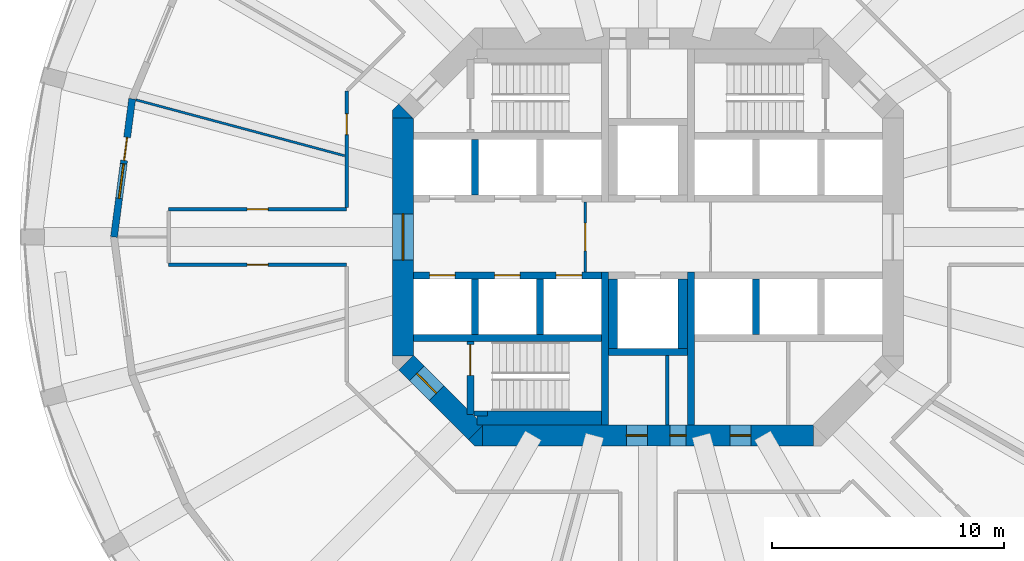
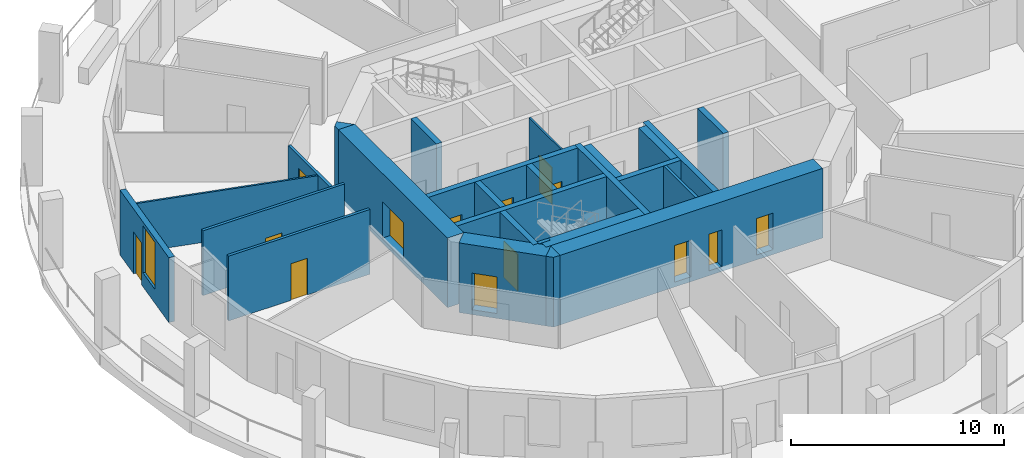
# One storey, part 3 of 9: 26 walls, 14 doors, 1 window, 15 openings.
"""IFC4 building model written with IfcOpenShell, lengths in metres."""

import ifcopenshell
import ifcopenshell.guid

model = None  # the IFC model being written
_history = None  # IfcOwnerHistory: only IFC2X3 demands one
_inside = {}  # id of a spatial element -> (the spatial element, [elements in it])
_under = {}  # id of a project, library or spatial element -> (it, [spatial elements below it])
_declared = {}  # id of a project -> (the project, [libraries it declares])
_typed = {}  # id of a type object -> (the type object, [elements of that type])
_made_of = {}  # id of a material, layer set ... -> (it, [elements and type objects made of it])


def new_model(schema):
    """Start an empty IFC model of exactly this schema.

    Asked for "IFC4X3", IfcOpenShell would pick the latest addendum, in which some entities
    have other attributes; the version numbers below select the first issue.
    IFC2X3 requires an IfcOwnerHistory on every rooted entity: one is made here for all.
    """
    global model, _history
    if schema == "IFC4X3":
        model = ifcopenshell.file(schema_version=(4, 3, 0, 0))
    else:
        model = ifcopenshell.file(schema=schema)
    _inside.clear()
    _under.clear()
    _declared.clear()
    _typed.clear()
    _made_of.clear()
    _history = None
    if model.schema == "IFC2X3":
        org = make("IfcOrganization", Name="unknown")
        user = make(
            "IfcPersonAndOrganization",
            ThePerson=make("IfcPerson", FamilyName="unknown"),
            TheOrganization=org,
        )
        app = make(
            "IfcApplication",
            ApplicationDeveloper=org,
            Version="unknown",
            ApplicationFullName="unknown",
            ApplicationIdentifier="unknown",
        )
        _history = make(
            "IfcOwnerHistory",
            OwningUser=user,
            OwningApplication=app,
            ChangeAction="ADDED",
            CreationDate=0,
        )
    return model


def make(cls, **values):
    """One entity of the class cls with the attributes given. An attribute that is None is left unset."""
    return model.create_entity(
        cls, **{name: value for name, value in values.items() if value is not None}
    )


def rooted(cls, **values):
    """An entity with a GlobalId (a new one), such as an element, a storey or a relation."""
    return make(cls, GlobalId=ifcopenshell.guid.new(), OwnerHistory=_history, **values)


def si_unit(unit_type, name, prefix=None):
    """IfcSIUnit, for example si_unit("LENGTHUNIT", "METRE", prefix="MILLI")."""
    return make("IfcSIUnit", UnitType=unit_type, Prefix=prefix, Name=name)


def assignment(units):
    """IfcUnitAssignment: the units of a project."""
    return None if units is None else make("IfcUnitAssignment", Units=units)


def point(xyz):
    """IfcCartesianPoint."""
    return None if xyz is None else make("IfcCartesianPoint", Coordinates=xyz)


def direction(xyz):
    """IfcDirection."""
    return None if xyz is None else make("IfcDirection", DirectionRatios=xyz)


def frame(location, z_axis=None, x_axis=None):
    """IfcAxis2Placement3D, a coordinate frame: its origin and axes. An axis left out is left unset."""
    return make(
        "IfcAxis2Placement3D",
        Location=point(location),
        Axis=direction(z_axis),
        RefDirection=direction(x_axis),
    )


def frame_2d(location, x_axis=None):
    """IfcAxis2Placement2D, a coordinate frame in the plane: its origin and x axis."""
    return make(
        "IfcAxis2Placement2D", Location=point(location), RefDirection=direction(x_axis)
    )


def origin():
    """The frame at (0, 0, 0) with its axes left unset."""
    return frame((0.0, 0.0, 0.0))


def place(relative_to, where):
    """IfcLocalPlacement: puts the frame where relative to a parent placement (None: the world)."""
    return make(
        "IfcLocalPlacement", PlacementRelTo=relative_to, RelativePlacement=where
    )


def context(
    kind, dimensions, precision=None, world=None, true_north=None, identifier=None
):
    """IfcGeometricRepresentationContext, for example the 3D "Model" context."""
    return make(
        "IfcGeometricRepresentationContext",
        ContextIdentifier=identifier,
        ContextType=kind,
        CoordinateSpaceDimension=dimensions,
        Precision=precision,
        WorldCoordinateSystem=world,
        TrueNorth=true_north,
    )


def subcontext(parent, identifier, kind, view, scale=None):
    """IfcGeometricRepresentationSubContext, for example "Body" below "Model"."""
    return make(
        "IfcGeometricRepresentationSubContext",
        ContextIdentifier=identifier,
        ContextType=kind,
        ParentContext=parent,
        TargetScale=scale,
        TargetView=view,
    )


def project(units=None, contexts=None):
    """IfcProject with its units and contexts."""
    return rooted(
        "IfcProject",
        Name="project",
        RepresentationContexts=contexts,
        UnitsInContext=assignment(units),
    )


def spatial(cls, under=None, at=None, **own):
    """A site, building, storey or space (cls), placed at a placement, below another one or the project."""
    s = rooted(cls, ObjectPlacement=at, **own)
    if under is not None:
        _under.setdefault(under.id(), (under, []))[1].append(s)
    return s


def polyline(points):
    """IfcPolyline through the points."""
    return make("IfcPolyline", Points=[point(p) for p in points])


def profile(cls, at=None, kind="AREA", **sizes):
    """A parametric profile (cls). Its sizes go by their IFC names, for example OverallWidth=200.0."""
    return make(cls, ProfileType=kind, Position=at, **sizes)


def rectangle(**sizes):
    """IfcRectangleProfileDef."""
    return profile("IfcRectangleProfileDef", **sizes)


def outline(outer, holes=None, kind="AREA"):
    """IfcArbitraryClosedProfileDef: a profile drawn as a closed curve; with holes, ...WithVoids."""
    if holes is None:
        return make("IfcArbitraryClosedProfileDef", ProfileType=kind, OuterCurve=outer)
    return make(
        "IfcArbitraryProfileDefWithVoids",
        ProfileType=kind,
        OuterCurve=outer,
        InnerCurves=holes,
    )


def extrude(swept, where, along, depth):
    """IfcExtrudedAreaSolid: the profile swept, set in the frame where, extruded along a direction by depth."""
    return make(
        "IfcExtrudedAreaSolid",
        SweptArea=swept,
        Position=where,
        ExtrudedDirection=direction(along),
        Depth=depth,
    )


def shape(context_of_items, identifier, shape_type, items):
    """IfcShapeRepresentation: the items that make up one representation, for example the "Body"."""
    return make(
        "IfcShapeRepresentation",
        ContextOfItems=context_of_items,
        RepresentationIdentifier=identifier,
        RepresentationType=shape_type,
        Items=items,
    )


def material(Name=None, Category=None):
    """IfcMaterial."""
    return make("IfcMaterial", Name=Name, Category=Category)


def layer(
    of_material, thickness, ventilated=None, Name=None, Category=None, Priority=None
):
    """IfcMaterialLayer: one layer of a wall or slab, of a material (None: an air gap)."""
    return make(
        "IfcMaterialLayer",
        Material=of_material,
        LayerThickness=thickness,
        IsVentilated=ventilated,
        Name=Name,
        Category=Category,
        Priority=Priority,
    )


def layer_set(layers, Name=None):
    """IfcMaterialLayerSet."""
    return make("IfcMaterialLayerSet", MaterialLayers=layers, LayerSetName=Name)


def made_of(thing, what):
    """Note that an element or type object is made of a material, layer set ...; save() writes the relation."""
    if what is not None:
        _made_of.setdefault(what.id(), (what, []))[1].append(thing)
    return thing


def type_object(cls, material=None, **own):
    """A type object (cls), such as IfcWallType, which elements share."""
    return made_of(rooted(cls, **own), material)


def element(
    cls,
    number,
    at=None,
    inside=None,
    cuts=None,
    type_object=None,
    material=None,
    context=None,
    identifier="Body",
    shape_type=None,
    held_by="IfcProductDefinitionShape",
    body=None,
    shapes=None,
    **own,
):
    """One element of the class cls, such as IfcWall. Its Tag is "e" and its number.

    at: its placement. inside: the storey or other place that contains it. cuts: it is an
    opening in that element (IfcRelVoidsElement). A single representation is given by context,
    identifier, shape_type and body (its items); several are given by shapes. held_by: the class
    of the entity that holds the representations. save() writes the other relations.
    """
    e = rooted(cls, Tag="e%d" % number, ObjectPlacement=at, **own)
    if body is not None:
        shapes = [shape(context, identifier, shape_type, body)]
    if shapes is not None:
        e.Representation = make(held_by, Representations=shapes)
    if inside is not None:
        _inside.setdefault(inside.id(), (inside, []))[1].append(e)
    if cuts is not None:
        rooted(
            "IfcRelVoidsElement", RelatingBuildingElement=cuts, RelatedOpeningElement=e
        )
    if type_object is not None:
        _typed.setdefault(type_object.id(), (type_object, []))[1].append(e)
    return made_of(e, material)


def fill(opening, filler):
    """IfcRelFillsElement: the door or window that sits in an opening."""
    return rooted(
        "IfcRelFillsElement",
        RelatingOpeningElement=opening,
        RelatedBuildingElement=filler,
    )


def aggregate(whole, parts):
    """IfcRelAggregates: a whole, such as a stair, and the parts it consists of."""
    return rooted("IfcRelAggregates", RelatingObject=whole, RelatedObjects=parts)


def save(model, path):
    """Write the relations noted so far, then the file.

    IfcRelAggregates (storeys below a building ...), IfcRelContainedInSpatialStructure (elements
    in a storey), IfcRelDefinesByType, IfcRelAssociatesMaterial and IfcRelDeclares: one each for
    every whole, place, type object, material and project.
    """
    for whole, parts in _under.values():
        aggregate(whole, parts)
    for where, things in _inside.values():
        rooted(
            "IfcRelContainedInSpatialStructure",
            RelatedElements=things,
            RelatingStructure=where,
        )
    for kind, things in _typed.values():
        rooted("IfcRelDefinesByType", RelatedObjects=things, RelatingType=kind)
    for what, things in _made_of.values():
        rooted("IfcRelAssociatesMaterial", RelatedObjects=things, RelatingMaterial=what)
    for by, libraries in _declared.values():
        rooted("IfcRelDeclares", RelatingContext=by, RelatedDefinitions=libraries)
    model.write(path)


model = new_model("IFC4")

# Units and contexts
model_context = context("Model", 3, precision=1e-05, world=origin(), true_north=direction((0.0, 1.0)))
body_context = subcontext(model_context, "Body", "Model", "MODEL_VIEW")
ifc_project = project(units=[si_unit("LENGTHUNIT", "METRE"), si_unit("AREAUNIT", "SQUARE_METRE"), si_unit("VOLUMEUNIT", "CUBIC_METRE"), si_unit("PLANEANGLEUNIT", "RADIAN"), si_unit("MASSUNIT", "GRAM", prefix="KILO")], contexts=[model_context])

# Site, building, storey
site_placement = place(None, origin())
site = spatial("IfcSite", under=ifc_project, at=site_placement, CompositionType="ELEMENT")
building_placement = place(site_placement, origin())
building = spatial("IfcBuilding", under=site, at=building_placement, Name="Torre Triforio", CompositionType="ELEMENT")
storey_placement = place(building_placement, frame((0.0, 0.0, 35.0)))
storey = spatial("IfcBuildingStorey", under=building, at=storey_placement, Name="L06", CompositionType="ELEMENT", Elevation=35.0)

# Walls
ifc_material_1 = material(Name="Concrete C60", Category="concrete")
ifc_layer_1 = layer(ifc_material_1, 0.300048828125)
ifc_layer_set_1 = layer_set([ifc_layer_1], Name="Concrete C60")
wall_type_1 = type_object("IfcWallType", Name="Core wall 300 mm C60 EI 120", PredefinedType="SHEAR", material=ifc_layer_set_1)
for number, where, z_axis, x_axis, name in (
    (1, (-1.85009765625, -8.10009765625, 0.0), (0.0, 0.0, 1.0), (0.0, 1.0, 0.0), "Core wall"),
    (2, (1.85009765625, -8.10009765625, 0.0), (0.0, 0.0, 1.0), (0.0, 1.0, 0.0), "Core wall"),
):
    element("IfcWall", number, at=place(storey_placement, frame(where, z_axis=z_axis, x_axis=x_axis)), inside=storey, type_object=wall_type_1, Name=name, PredefinedType="SHEAR", context=body_context, shape_type="SweptSolid", body=[
        extrude(rectangle(XDim=6.60009765625, YDim=0.300048828125, at=frame_2d((3.300048828125, 0.0))), origin(), (0.0, 0.0, 1.0), 3.719970703125),
    ])

# Wall, openings, doors
ifc_layer_2 = layer(ifc_material_1, 0.89990234375)
ifc_layer_set_2 = layer_set([ifc_layer_2], Name="Concrete C60")
wall_type_2 = type_object("IfcWallType", Name="Core wall 900 mm C60 EI 120", PredefinedType="SHEAR", material=ifc_layer_set_2)
wall_1_placement = place(storey_placement, frame((-7.1298828125, -8.550048828125, -0.280029296875), z_axis=(0.0, 0.0, 1.0), x_axis=(1.0, 0.0, 0.0)))
wall_1 = element("IfcWall", 3, at=wall_1_placement, inside=storey, type_object=wall_type_2, Name="Core wall", PredefinedType="SHEAR", context=body_context, shape_type="SweptSolid", body=[
    extrude(rectangle(XDim=14.259765625, YDim=0.89990234375, at=frame_2d((7.1298828125, 0.0))), origin(), (0.0, 0.0, 1.0), 4.0),
])
opening_1_placement = place(wall_1_placement, frame((8.080078125, 0.0, 0.280029296875)))
opening_1 = element("IfcOpeningElement", 4, at=opening_1_placement, cuts=wall_1, Name="Opening RISER-S", PredefinedType="OPENING", context=body_context, shape_type="SweptSolid", body=[
    extrude(rectangle(XDim=0.699951171875, YDim=2.10009765625, at=frame_2d((0.35009765625, 1.050048828125))), frame((0.0, 0.4599609375, 0.0), z_axis=(0.0, -1.0, 0.0), x_axis=(1.0, 0.0, 0.0)), (0.0, 0.0, 1.0), 0.919921875),
])
opening_2_placement = place(wall_1_placement, frame((6.205078125, 0.0, 0.280029296875)))
opening_2 = element("IfcOpeningElement", 5, at=opening_2_placement, cuts=wall_1, Name="Opening SW-01B", PredefinedType="OPENING", context=body_context, shape_type="SweptSolid", body=[
    extrude(rectangle(XDim=0.89990234375, YDim=2.10009765625, at=frame_2d((0.449951171875, 1.050048828125))), frame((0.0, 0.4599609375, 0.0), z_axis=(0.0, -1.0, 0.0), x_axis=(1.0, 0.0, 0.0)), (0.0, 0.0, 1.0), 0.919921875),
])
opening_3_placement = place(wall_1_placement, frame((10.66748046875, 0.0, 0.280029296875)))
opening_3 = element("IfcOpeningElement", 6, at=opening_3_placement, cuts=wall_1, Name="Opening SE-01A", PredefinedType="OPENING", context=body_context, shape_type="SweptSolid", body=[
    extrude(rectangle(XDim=0.89990234375, YDim=2.10009765625, at=frame_2d((0.449951171875, 1.050048828125))), frame((0.0, 0.4599609375, 0.0), z_axis=(0.0, -1.0, 0.0), x_axis=(1.0, 0.0, 0.0)), (0.0, 0.0, 1.0), 0.919921875),
])
ifc_material_2 = material(Name="Hollow metal fire door leaf")
door_type_1 = type_object("IfcDoorType", Name="Riser door 700 x 2100 EI 60", OperationType="NOTDEFINED", PredefinedType="DOOR", material=ifc_material_2)
door_1_placement = place(opening_1_placement, origin())
door_1 = element("IfcDoor", 7, at=door_1_placement, inside=storey, type_object=door_type_1, Name="Core door RISER-S", OperationType="SINGLE_SWING_RIGHT", OverallHeight=2.10009765625, OverallWidth=0.699951171875, PredefinedType="DOOR", context=body_context, shape_type="SweptSolid", body=[
    extrude(rectangle(XDim=0.699951171875, YDim=2.10009765625, at=frame_2d((0.35009765625, 1.050048828125))), frame((0.0, 0.02490234375, 0.0), z_axis=(0.0, -1.0, 0.0), x_axis=(1.0, 0.0, 0.0)), (0.0, 0.0, 1.0), 0.050048828125),
])
fill(opening_1, door_1)
door_type_2 = type_object("IfcDoorType", Name="Room door 900 x 2100 EI 60", OperationType="NOTDEFINED", PredefinedType="DOOR", material=ifc_material_2)
door_2_placement = place(opening_2_placement, origin())
door_2 = element("IfcDoor", 8, at=door_2_placement, inside=storey, type_object=door_type_2, Name="Core door SW-01", OperationType="SINGLE_SWING_LEFT", OverallHeight=2.10009765625, OverallWidth=0.89990234375, PredefinedType="DOOR", context=body_context, shape_type="SweptSolid", body=[
    extrude(rectangle(XDim=0.89990234375, YDim=2.10009765625, at=frame_2d((0.449951171875, 1.050048828125))), frame((0.0, 0.02490234375, 0.0), z_axis=(0.0, -1.0, 0.0), x_axis=(1.0, 0.0, 0.0)), (0.0, 0.0, 1.0), 0.050048828125),
])
fill(opening_2, door_2)
door_3_placement = place(opening_3_placement, origin())
door_3 = element("IfcDoor", 9, at=door_3_placement, inside=storey, type_object=door_type_2, Name="Core door SE-01", OperationType="SINGLE_SWING_LEFT", OverallHeight=2.10009765625, OverallWidth=0.89990234375, PredefinedType="DOOR", context=body_context, shape_type="SweptSolid", body=[
    extrude(rectangle(XDim=0.89990234375, YDim=2.10009765625, at=frame_2d((0.449951171875, 1.050048828125))), frame((0.0, 0.02490234375, 0.0), z_axis=(0.0, -1.0, 0.0), x_axis=(1.0, 0.0, 0.0)), (0.0, 0.0, 1.0), 0.050048828125),
])
fill(opening_3, door_3)

# Wall, opening, door
wall_2_placement = place(storey_placement, frame((-10.550048828125, -5.1298828125, -0.280029296875), z_axis=(0.0, 0.0, 1.0), x_axis=(0.0, 1.0, 0.0)))
wall_2 = element("IfcWall", 10, at=wall_2_placement, inside=storey, type_object=wall_type_2, Name="Core wall", PredefinedType="SHEAR", context=body_context, shape_type="SweptSolid", body=[
    extrude(rectangle(XDim=10.259765625, YDim=0.89990234375, at=frame_2d((5.1298828125, 0.0))), origin(), (0.0, 0.0, 1.0), 4.0),
])
opening_4_placement = place(wall_2_placement, frame((4.1298828125, 0.0, 0.280029296875)))
opening_4 = element("IfcOpeningElement", 11, at=opening_4_placement, cuts=wall_2, Name="Opening W-RING", PredefinedType="OPENING", context=body_context, shape_type="SweptSolid", body=[
    extrude(rectangle(XDim=2.0, YDim=2.10009765625, at=frame_2d((1.0, 1.050048828125))), frame((0.0, 0.4599609375, 0.0), z_axis=(0.0, -1.0, 0.0), x_axis=(1.0, 0.0, 0.0)), (0.0, 0.0, 1.0), 0.919921875),
])
door_type_3 = type_object("IfcDoorType", Name="Lobby door 2000 x 2100 EI 60", OperationType="DOUBLE_DOOR_SINGLE_SWING", PredefinedType="DOOR", material=ifc_material_2)
door_4_placement = place(opening_4_placement, origin())
door_4 = element("IfcDoor", 12, at=door_4_placement, inside=storey, type_object=door_type_3, Name="Core door W-RING", OperationType="DOUBLE_DOOR_SINGLE_SWING", OverallHeight=2.10009765625, OverallWidth=2.0, PredefinedType="DOOR", context=body_context, shape_type="SweptSolid", body=[
    extrude(rectangle(XDim=2.0, YDim=2.10009765625, at=frame_2d((1.0, 1.050048828125))), frame((0.0, 0.02490234375, 0.0), z_axis=(0.0, -1.0, 0.0), x_axis=(1.0, 0.0, 0.0)), (0.0, 0.0, 1.0), 0.050048828125),
])
fill(opening_4, door_4)

wall_3_placement = place(storey_placement, frame((-7.418212890625, -8.418212890625, -0.280029296875), z_axis=(0.0, 0.0, 1.0), x_axis=(-0.707106781187, 0.707106781187, 0.0)))
wall_3 = element("IfcWall", 13, at=wall_3_placement, inside=storey, type_object=wall_type_2, Name="Core wall", PredefinedType="SHEAR", context=body_context, shape_type="SweptSolid", body=[
    extrude(rectangle(XDim=4.24267578125, YDim=0.89990234375, at=frame_2d((2.121337890625, 0.0))), origin(), (0.0, 0.0, 1.0), 4.0),
])
opening_5_placement = place(wall_3_placement, frame((2.392578125, 0.0, 0.280029296875)))
opening_5 = element("IfcOpeningElement", 14, at=opening_5_placement, cuts=wall_3, Name="Opening ST3-EXIT", PredefinedType="OPENING", context=body_context, shape_type="SweptSolid", body=[
    extrude(rectangle(XDim=1.199951171875, YDim=2.10009765625, at=frame_2d((0.60009765625, 1.050048828125))), frame((0.0, 0.4599609375, 0.0), z_axis=(0.0, -1.0, 0.0), x_axis=(1.0, 0.0, 0.0)), (0.0, 0.0, 1.0), 0.919921875),
])
door_type_4 = type_object("IfcDoorType", Name="Stair lobby door 1200 x 2100 EI 60", OperationType="NOTDEFINED", PredefinedType="DOOR", material=ifc_material_2)
door_5_placement = place(opening_5_placement, origin())
door_5 = element("IfcDoor", 15, at=door_5_placement, inside=storey, type_object=door_type_4, Name="Core door ST3-EXIT", OperationType="SINGLE_SWING_RIGHT", OverallHeight=2.10009765625, OverallWidth=1.199951171875, PredefinedType="DOOR", context=body_context, shape_type="SweptSolid", body=[
    extrude(rectangle(XDim=1.199951171875, YDim=2.10009765625, at=frame_2d((0.60009765625, 1.050048828125))), frame((0.0, 0.02490234375, 0.0), z_axis=(0.0, -1.0, 0.0), x_axis=(1.0, 0.0, 0.0)), (0.0, 0.0, 1.0), 0.050048828125),
])
fill(opening_5, door_5)

# Walls
wall_4_placement = place(storey_placement, frame((0.0, 0.0, -0.280029296875)))
element("IfcWall", 16, at=wall_4_placement, inside=storey, type_object=wall_type_2, Name="Core wall", PredefinedType="SHEAR", context=body_context, shape_type="SweptSolid", body=[
    extrude(outline(polyline([(-7.472900390625, -9.0), (-7.736328125, -8.736328125), (-7.1298828125, -8.1298828125), (-7.1298828125, -9.0), (-7.472900390625, -9.0)])), origin(), (0.0, 0.0, 1.0), 4.0),
])
wall_5_placement = place(storey_placement, frame((0.0, 0.0, -0.280029296875)))
element("IfcWall", 17, at=wall_5_placement, inside=storey, type_object=wall_type_2, Name="Core wall", PredefinedType="SHEAR", context=body_context, shape_type="SweptSolid", body=[
    extrude(outline(polyline([(-10.736328125, 5.736328125), (-10.1298828125, 5.1298828125), (-11.0, 5.1298828125), (-11.0, 5.472900390625), (-10.736328125, 5.736328125)])), origin(), (0.0, 0.0, 1.0), 4.0),
])

# Wall, opening, door
ifc_material_3 = material(Name="Plasterboard on metal studs")
ifc_layer_3 = layer(ifc_material_3, 0.14990234375)
ifc_layer_set_3 = layer_set([ifc_layer_3], Name="Plasterboard on metal studs")
wall_type_3 = type_object("IfcWallType", Name="Corridor and tenancy wall 150 mm EI 60", PredefinedType="PARTITIONING", material=ifc_layer_set_3)
wall_6_placement = place(storey_placement, frame((-12.97509765625, -1.199951171875, 0.0), z_axis=(0.0, 0.0, 1.0), x_axis=(-1.0, 0.0, 0.0)))
wall_6 = element("IfcWall", 18, at=wall_6_placement, inside=storey, type_object=wall_type_3, Name="Partition 12", PredefinedType="PARTITIONING", context=body_context, shape_type="SweptSolid", body=[
    extrude(rectangle(XDim=7.673583984375, YDim=0.14990234375, at=frame_2d((3.8369140625, 0.0))), origin(), (0.0, 0.0, 1.0), 3.719970703125),
])
opening_6_placement = place(wall_6_placement, frame((3.386962890625, 0.0, 0.0)))
opening_6 = element("IfcOpeningElement", 19, at=opening_6_placement, cuts=wall_6, Name="Opening N1-08", PredefinedType="OPENING", context=body_context, shape_type="SweptSolid", body=[
    extrude(rectangle(XDim=0.89990234375, YDim=2.10009765625, at=frame_2d((0.449951171875, 1.050048828125))), frame((0.0, 0.0849609375, 0.0), z_axis=(0.0, -1.0, 0.0), x_axis=(1.0, 0.0, 0.0)), (0.0, 0.0, 1.0), 0.169921875),
])
ifc_material_4 = material(Name="Timber", Category="wood")
door_type_5 = type_object("IfcDoorType", Name="Door 900 x 2100 single leaf EI 30", OperationType="NOTDEFINED", PredefinedType="DOOR", material=ifc_material_4)
door_6_placement = place(opening_6_placement, origin())
door_6 = element("IfcDoor", 20, at=door_6_placement, inside=storey, type_object=door_type_5, Name="Door N1-08", OperationType="SINGLE_SWING_RIGHT", OverallHeight=2.10009765625, OverallWidth=0.89990234375, PredefinedType="DOOR", context=body_context, shape_type="SweptSolid", body=[
    extrude(rectangle(XDim=0.89990234375, YDim=2.10009765625, at=frame_2d((0.449951171875, 1.050048828125))), frame((0.0, 0.02490234375, 0.0), z_axis=(0.0, -1.0, 0.0), x_axis=(1.0, 0.0, 0.0)), (0.0, 0.0, 1.0), 0.050048828125),
])
fill(opening_6, door_6)

wall_7_placement = place(storey_placement, frame((-20.648681640625, 1.199951171875, 0.0), z_axis=(0.0, 0.0, 1.0), x_axis=(1.0, 0.0, 0.0)))
wall_7 = element("IfcWall", 21, at=wall_7_placement, inside=storey, type_object=wall_type_3, Name="Partition 14", PredefinedType="PARTITIONING", context=body_context, shape_type="SweptSolid", body=[
    extrude(rectangle(XDim=7.673583984375, YDim=0.14990234375, at=frame_2d((3.8369140625, 0.0))), origin(), (0.0, 0.0, 1.0), 3.719970703125),
])
opening_7_placement = place(wall_7_placement, frame((3.386962890625, 0.0, 0.0)))
opening_7 = element("IfcOpeningElement", 22, at=opening_7_placement, cuts=wall_7, Name="Opening N1-07", PredefinedType="OPENING", context=body_context, shape_type="SweptSolid", body=[
    extrude(rectangle(XDim=0.89990234375, YDim=2.10009765625, at=frame_2d((0.449951171875, 1.050048828125))), frame((0.0, 0.0849609375, 0.0), z_axis=(0.0, -1.0, 0.0), x_axis=(1.0, 0.0, 0.0)), (0.0, 0.0, 1.0), 0.169921875),
])
door_7_placement = place(opening_7_placement, origin())
door_7 = element("IfcDoor", 23, at=door_7_placement, inside=storey, type_object=door_type_5, Name="Door N1-07", OperationType="SINGLE_SWING_RIGHT", OverallHeight=2.10009765625, OverallWidth=0.89990234375, PredefinedType="DOOR", context=body_context, shape_type="SweptSolid", body=[
    extrude(rectangle(XDim=0.89990234375, YDim=2.10009765625, at=frame_2d((0.449951171875, 1.050048828125))), frame((0.0, 0.02490234375, 0.0), z_axis=(0.0, -1.0, 0.0), x_axis=(1.0, 0.0, 0.0)), (0.0, 0.0, 1.0), 0.050048828125),
])
fill(opening_7, door_7)

wall_8_placement = place(storey_placement, frame((-12.97509765625, 1.27490234375, 0.0), z_axis=(0.0, 0.0, 1.0), x_axis=(0.0, 1.0, 0.0)))
wall_8 = element("IfcWall", 24, at=wall_8_placement, inside=storey, type_object=wall_type_3, Name="Partition 15", PredefinedType="PARTITIONING", context=body_context, shape_type="SweptSolid", body=[
    extrude(rectangle(XDim=5.01611328125, YDim=0.14990234375, at=frame_2d((2.508056640625, 0.0))), origin(), (0.0, 0.0, 1.0), 2.820068359375),
])
opening_8_placement = place(wall_8_placement, frame((3.1337890625, 0.0, 0.0)))
opening_8 = element("IfcOpeningElement", 25, at=opening_8_placement, cuts=wall_8, Name="Opening N1-06", PredefinedType="OPENING", context=body_context, shape_type="SweptSolid", body=[
    extrude(rectangle(XDim=0.89990234375, YDim=2.10009765625, at=frame_2d((0.449951171875, 1.050048828125))), frame((0.0, 0.0849609375, 0.0), z_axis=(0.0, -1.0, 0.0), x_axis=(1.0, 0.0, 0.0)), (0.0, 0.0, 1.0), 0.169921875),
])
door_8_placement = place(opening_8_placement, origin())
door_8 = element("IfcDoor", 26, at=door_8_placement, inside=storey, type_object=door_type_5, Name="Door N1-06", OperationType="SINGLE_SWING_LEFT", OverallHeight=2.10009765625, OverallWidth=0.89990234375, PredefinedType="DOOR", context=body_context, shape_type="SweptSolid", body=[
    extrude(rectangle(XDim=0.89990234375, YDim=2.10009765625, at=frame_2d((0.449951171875, 1.050048828125))), frame((0.0, 0.02490234375, 0.0), z_axis=(0.0, -1.0, 0.0), x_axis=(1.0, 0.0, 0.0)), (0.0, 0.0, 1.0), 0.050048828125),
])
fill(opening_8, door_8)

ifc_material_5 = material(Name="Block and board partition")
ifc_layer_4 = layer(ifc_material_5, 0.10009765625)
ifc_layer_set_4 = layer_set([ifc_layer_4], Name="Block and board partition")
wall_type_4 = type_object("IfcWallType", Name="Partition 100 mm EI 120", PredefinedType="PARTITIONING", material=ifc_layer_set_4)
wall_9_placement = place(storey_placement, frame((-2.699951171875, -1.5, 0.0), z_axis=(0.0, 0.0, 1.0), x_axis=(0.0, 1.0, 0.0)))
wall_9 = element("IfcWall", 27, at=wall_9_placement, inside=storey, type_object=wall_type_4, Name="Partition", PredefinedType="PARTITIONING", context=body_context, shape_type="SweptSolid", body=[
    extrude(rectangle(XDim=3.0, YDim=0.10009765625, at=frame_2d((1.5, 0.0))), origin(), (0.0, 0.0, 1.0), 3.719970703125),
])
opening_9_placement = place(wall_9_placement, frame((0.89990234375, 0.0, 0.0)))
opening_9 = element("IfcOpeningElement", 28, at=opening_9_placement, cuts=wall_9, Name="Opening FF-W", PredefinedType="OPENING", context=body_context, shape_type="SweptSolid", body=[
    extrude(rectangle(XDim=1.199951171875, YDim=2.10009765625, at=frame_2d((0.60009765625, 1.050048828125))), frame((0.0, 0.06005859375, 0.0), z_axis=(0.0, -1.0, 0.0), x_axis=(1.0, 0.0, 0.0)), (0.0, 0.0, 1.0), 0.1201171875),
])
door_type_6 = type_object("IfcDoorType", Name="Fire-fighting lobby door 1200 x 2100 EI 60", OperationType="NOTDEFINED", PredefinedType="DOOR", material=ifc_material_2)
door_9_placement = place(opening_9_placement, origin())
door_9 = element("IfcDoor", 29, at=door_9_placement, inside=storey, type_object=door_type_6, Name="Core door FF-W", OperationType="SINGLE_SWING_RIGHT", OverallHeight=2.10009765625, OverallWidth=1.199951171875, PredefinedType="DOOR", context=body_context, shape_type="SweptSolid", body=[
    extrude(rectangle(XDim=1.199951171875, YDim=2.10009765625, at=frame_2d((0.60009765625, 1.050048828125))), frame((0.0, 0.02490234375, 0.0), z_axis=(0.0, -1.0, 0.0), x_axis=(1.0, 0.0, 0.0)), (0.0, 0.0, 1.0), 0.050048828125),
])
fill(opening_9, door_9)

# Walls
ifc_layer_5 = layer(ifc_material_3, 0.10009765625)
ifc_layer_set_5 = layer_set([ifc_layer_5], Name="Plasterboard on metal studs")
wall_type_5 = type_object("IfcWallType", Name="Partition 100 mm board on metal studs", PredefinedType="PARTITIONING", material=ifc_layer_set_5)
wall_10_placement = place(storey_placement, frame((-13.064208984375, 3.50048828125, 0.0), z_axis=(0.0, 0.0, 1.0), x_axis=(-0.965922655056, 0.258830880017, 0.0)))
element("IfcWall", 30, at=wall_10_placement, inside=storey, type_object=wall_type_5, Name="Partition 41", PredefinedType="PARTITIONING", context=body_context, shape_type="SweptSolid", body=[
    extrude(rectangle(XDim=9.311767578125, YDim=0.10009765625, at=frame_2d((4.65576171875, 0.0))), origin(), (0.0, 0.0, 1.0), 2.820068359375),
])
ifc_layer_6 = layer(ifc_material_5, 0.14990234375)
ifc_layer_set_6 = layer_set([ifc_layer_6], Name="Block and board partition")
wall_type_6 = type_object("IfcWallType", Name="Partition 150 mm EI 120", PredefinedType="PARTITIONING", material=ifc_layer_set_6)
wall_11_placement = place(storey_placement, frame((0.824951171875, -8.10009765625, 0.0), z_axis=(0.0, 0.0, 1.0), x_axis=(0.0, 1.0, 0.0)))
element("IfcWall", 31, at=wall_11_placement, inside=storey, type_object=wall_type_6, Name="Partition", PredefinedType="PARTITIONING", context=body_context, shape_type="SweptSolid", body=[
    extrude(rectangle(XDim=3.0, YDim=0.14990234375, at=frame_2d((1.5, 0.0))), origin(), (0.0, 0.0, 1.0), 3.719970703125),
])
ifc_layer_7 = layer(ifc_material_1, 0.300048828125)
ifc_layer_set_7 = layer_set([ifc_layer_7], Name="Concrete C60")
wall_type_7 = type_object("IfcWallType", Name="Shaft wall 300 mm C60 EI 120", PredefinedType="SOLIDWALL", material=ifc_layer_set_7)
wall_12_placement = place(storey_placement, frame((-10.10009765625, -4.35009765625, 0.0), z_axis=(0.0, 0.0, 1.0), x_axis=(1.0, 0.0, 0.0)))
element("IfcWall", 32, at=wall_12_placement, inside=storey, type_object=wall_type_7, Name="Shaft wall", PredefinedType="SOLIDWALL", context=body_context, shape_type="SweptSolid", body=[
    extrude(rectangle(XDim=8.10009765625, YDim=0.300048828125, at=frame_2d((4.050048828125, 0.0))), origin(), (0.0, 0.0, 1.0), 3.719970703125),
])

# Wall, openings, doors
wall_13_placement = place(storey_placement, frame((-10.10009765625, -1.64990234375, 0.0), z_axis=(0.0, 0.0, 1.0), x_axis=(1.0, 0.0, 0.0)))
wall_13 = element("IfcWall", 33, at=wall_13_placement, inside=storey, type_object=wall_type_7, Name="Shaft wall", PredefinedType="SOLIDWALL", context=body_context, shape_type="SweptSolid", body=[
    extrude(rectangle(XDim=8.10009765625, YDim=0.300048828125, at=frame_2d((4.050048828125, 0.0))), origin(), (0.0, 0.0, 1.0), 3.719970703125),
])
opening_10_placement = place(wall_13_placement, frame((0.699951171875, 0.0, 0.0)))
opening_10 = element("IfcOpeningElement", 34, at=opening_10_placement, cuts=wall_13, Name="Opening LD", PredefinedType="OPENING", context=body_context, shape_type="SweptSolid", body=[
    extrude(rectangle(XDim=1.10009765625, YDim=2.10009765625, at=frame_2d((0.550048828125, 1.050048828125))), frame((0.0, 0.159912109375, 0.0), z_axis=(0.0, -1.0, 0.0), x_axis=(1.0, 0.0, 0.0)), (0.0, 0.0, 1.0), 0.320068359375),
])
opening_11_placement = place(wall_13_placement, frame((3.5, 0.0, 0.0)))
opening_11 = element("IfcOpeningElement", 35, at=opening_11_placement, cuts=wall_13, Name="Opening LD", PredefinedType="OPENING", context=body_context, shape_type="SweptSolid", body=[
    extrude(rectangle(XDim=1.10009765625, YDim=2.10009765625, at=frame_2d((0.550048828125, 1.050048828125))), frame((0.0, 0.159912109375, 0.0), z_axis=(0.0, -1.0, 0.0), x_axis=(1.0, 0.0, 0.0)), (0.0, 0.0, 1.0), 0.320068359375),
])
opening_12_placement = place(wall_13_placement, frame((6.14990234375, 0.0, 0.0)))
opening_12 = element("IfcOpeningElement", 36, at=opening_12_placement, cuts=wall_13, Name="Opening LD", PredefinedType="OPENING", context=body_context, shape_type="SweptSolid", body=[
    extrude(rectangle(XDim=1.10009765625, YDim=2.10009765625, at=frame_2d((0.550048828125, 1.050048828125))), frame((0.0, 0.159912109375, 0.0), z_axis=(0.0, -1.0, 0.0), x_axis=(1.0, 0.0, 0.0)), (0.0, 0.0, 1.0), 0.320068359375),
])
door_type_7 = type_object("IfcDoorType", Name="Landing door 1100 x 2100 EI 60", OperationType="DOUBLE_DOOR_SLIDING", PredefinedType="DOOR", material=ifc_material_2)
door_10_placement = place(opening_10_placement, origin())
door_10 = element("IfcDoor", 37, at=door_10_placement, inside=storey, type_object=door_type_7, Name="Landing door LR4", OperationType="DOUBLE_DOOR_SLIDING", OverallHeight=2.10009765625, OverallWidth=1.10009765625, PredefinedType="DOOR", context=body_context, shape_type="SweptSolid", body=[
    extrude(rectangle(XDim=1.10009765625, YDim=2.10009765625, at=frame_2d((0.550048828125, 1.050048828125))), frame((0.0, 0.02490234375, 0.0), z_axis=(0.0, -1.0, 0.0), x_axis=(1.0, 0.0, 0.0)), (0.0, 0.0, 1.0), 0.050048828125),
])
fill(opening_10, door_10)
door_11_placement = place(opening_11_placement, origin())
door_11 = element("IfcDoor", 38, at=door_11_placement, inside=storey, type_object=door_type_7, Name="Landing door LR5", OperationType="DOUBLE_DOOR_SLIDING", OverallHeight=2.10009765625, OverallWidth=1.10009765625, PredefinedType="DOOR", context=body_context, shape_type="SweptSolid", body=[
    extrude(rectangle(XDim=1.10009765625, YDim=2.10009765625, at=frame_2d((0.550048828125, 1.050048828125))), frame((0.0, 0.02490234375, 0.0), z_axis=(0.0, -1.0, 0.0), x_axis=(1.0, 0.0, 0.0)), (0.0, 0.0, 1.0), 0.050048828125),
])
fill(opening_11, door_11)
door_12_placement = place(opening_12_placement, origin())
door_12 = element("IfcDoor", 39, at=door_12_placement, inside=storey, type_object=door_type_7, Name="Landing door LR6", OperationType="DOUBLE_DOOR_SLIDING", OverallHeight=2.10009765625, OverallWidth=1.10009765625, PredefinedType="DOOR", context=body_context, shape_type="SweptSolid", body=[
    extrude(rectangle(XDim=1.10009765625, YDim=2.10009765625, at=frame_2d((0.550048828125, 1.050048828125))), frame((0.0, 0.02490234375, 0.0), z_axis=(0.0, -1.0, 0.0), x_axis=(1.0, 0.0, 0.0)), (0.0, 0.0, 1.0), 0.050048828125),
])
fill(opening_12, door_12)

# Walls
for number, where, z_axis, x_axis, name in (
    (40, (-7.449951171875, 1.800048828125, 0.0), (0.0, 0.0, 1.0), (0.0, 1.0, 0.0), "Shaft wall"),
    (41, (-7.449951171875, -4.199951171875, 0.0), (0.0, 0.0, 1.0), (0.0, 1.0, 0.0), "Shaft wall"),
    (42, (-4.64990234375, -4.199951171875, 0.0), (0.0, 0.0, 1.0), (0.0, 1.0, 0.0), "Shaft wall"),
    (43, (4.64990234375, -4.199951171875, 0.0), (0.0, 0.0, 1.0), (0.0, 1.0, 0.0), "Shaft wall"),
):
    element("IfcWall", number, at=place(storey_placement, frame(where, z_axis=z_axis, x_axis=x_axis)), inside=storey, type_object=wall_type_7, Name=name, PredefinedType="SOLIDWALL", context=body_context, shape_type="SweptSolid", body=[
        extrude(rectangle(XDim=2.39990234375, YDim=0.300048828125, at=frame_2d((1.199951171875, 0.0))), origin(), (0.0, 0.0, 1.0), 3.719970703125),
    ])
wall_14_placement = place(storey_placement, frame((-1.699951171875, -4.949951171875, 0.0), z_axis=(0.0, 0.0, 1.0), x_axis=(1.0, 0.0, 0.0)))
element("IfcWall", 44, at=wall_14_placement, inside=storey, type_object=wall_type_7, Name="Shaft wall", PredefinedType="SOLIDWALL", context=body_context, shape_type="SweptSolid", body=[
    extrude(rectangle(XDim=3.39990234375, YDim=0.300048828125, at=frame_2d((1.699951171875, 0.0))), origin(), (0.0, 0.0, 1.0), 3.719970703125),
])
ifc_layer_8 = layer(ifc_material_1, 0.39990234375)
ifc_layer_set_8 = layer_set([ifc_layer_8], Name="Concrete C60")
wall_type_8 = type_object("IfcWallType", Name="Shaft wall 400 mm C60 EI 120", PredefinedType="SOLIDWALL", material=ifc_layer_set_8)
for number, where, z_axis, x_axis, name in (
    (45, (-1.5, -4.800048828125, 0.0), (0.0, 0.0, 1.0), (0.0, 1.0, 0.0), "Shaft wall"),
    (46, (1.5, -4.800048828125, 0.0), (0.0, 0.0, 1.0), (0.0, 1.0, 0.0), "Shaft wall"),
):
    element("IfcWall", number, at=place(storey_placement, frame(where, z_axis=z_axis, x_axis=x_axis)), inside=storey, type_object=wall_type_8, Name=name, PredefinedType="SOLIDWALL", context=body_context, shape_type="SweptSolid", body=[
        extrude(rectangle(XDim=3.0, YDim=0.39990234375, at=frame_2d((1.5, 0.0))), origin(), (0.0, 0.0, 1.0), 3.719970703125),
    ])
ifc_layer_9 = layer(ifc_material_1, 0.199951171875)
ifc_layer_set_9 = layer_set([ifc_layer_9], Name="Concrete C60")
wall_type_9 = type_object("IfcWallType", Name="Stair wall 200 mm C60 EI 120", PredefinedType="SHEAR", material=ifc_layer_set_9)
wall_15_placement = place(storey_placement, frame((-7.5, -7.60009765625, 0.0), z_axis=(0.0, 0.0, 1.0), x_axis=(1.0, 0.0, 0.0)))
element("IfcWall", 47, at=wall_15_placement, inside=storey, type_object=wall_type_9, Name="Stair wall", PredefinedType="SHEAR", context=body_context, shape_type="SweptSolid", body=[
    extrude(rectangle(XDim=0.60009765625, YDim=0.199951171875, at=frame_2d((0.300048828125, 0.0))), origin(), (0.0, 0.0, 1.0), 3.719970703125),
])

# Wall, opening, door
ifc_layer_10 = layer(ifc_material_1, 0.300048828125)
ifc_layer_set_10 = layer_set([ifc_layer_10], Name="Concrete C60")
wall_type_10 = type_object("IfcWallType", Name="Stair wall 300 mm C60 EI 120", PredefinedType="SHEAR", material=ifc_layer_set_10)
wall_16_placement = place(storey_placement, frame((-7.64990234375, -7.639892578125, 0.0), z_axis=(0.0, 0.0, 1.0), x_axis=(0.0, 1.0, 0.0)))
wall_16 = element("IfcWall", 48, at=wall_16_placement, inside=storey, type_object=wall_type_10, Name="Stair wall", PredefinedType="SHEAR", context=body_context, shape_type="SweptSolid", body=[
    extrude(rectangle(XDim=3.139892578125, YDim=0.300048828125, at=frame_2d((1.56982421875, 0.0))), origin(), (0.0, 0.0, 1.0), 3.719970703125),
])
opening_13_placement = place(wall_16_placement, frame((1.679931640625, 0.0, 0.0)))
opening_13 = element("IfcOpeningElement", 49, at=opening_13_placement, cuts=wall_16, Name="Opening ST3-STA", PredefinedType="OPENING", context=body_context, shape_type="SweptSolid", body=[
    extrude(rectangle(XDim=1.320068359375, YDim=2.10009765625, at=frame_2d((0.66015625, 1.050048828125))), frame((0.0, 0.159912109375, 0.0), z_axis=(0.0, -1.0, 0.0), x_axis=(1.0, 0.0, 0.0)), (0.0, 0.0, 1.0), 0.320068359375),
])
door_type_8 = type_object("IfcDoorType", Name="Stair door 1320 x 2100 EI 90", OperationType="DOUBLE_DOOR_SINGLE_SWING", PredefinedType="DOOR", material=ifc_material_2)
door_13_placement = place(opening_13_placement, origin())
door_13 = element("IfcDoor", 50, at=door_13_placement, inside=storey, type_object=door_type_8, Name="Core door ST3-ST", OperationType="DOUBLE_DOOR_SINGLE_SWING", OverallHeight=2.10009765625, OverallWidth=1.320068359375, PredefinedType="DOOR", context=body_context, shape_type="SweptSolid", body=[
    extrude(rectangle(XDim=1.320068359375, YDim=2.10009765625, at=frame_2d((0.66015625, 1.050048828125))), frame((0.0, 0.02490234375, 0.0), z_axis=(0.0, -1.0, 0.0), x_axis=(1.0, 0.0, 0.0)), (0.0, 0.0, 1.0), 0.050048828125),
])
fill(opening_13, door_13)

# Wall
ifc_layer_11 = layer(ifc_material_1, 0.60009765625)
ifc_layer_set_11 = layer_set([ifc_layer_11], Name="Concrete C60")
wall_type_11 = type_object("IfcWallType", Name="Stair wall 600 mm C60 EI 120", PredefinedType="SHEAR", material=ifc_layer_set_11)
wall_17_placement = place(storey_placement, frame((-7.3701171875, -7.800048828125, 0.0), z_axis=(0.0, 0.0, 1.0), x_axis=(1.0, 0.0, 0.0)))
element("IfcWall", 51, at=wall_17_placement, inside=storey, type_object=wall_type_11, Name="Stair wall", PredefinedType="SHEAR", context=body_context, shape_type="SweptSolid", body=[
    extrude(rectangle(XDim=5.3701171875, YDim=0.60009765625, at=frame_2d((2.68505859375, 0.0))), origin(), (0.0, 0.0, 1.0), 3.719970703125),
])

# Wall, openings, door, window
ifc_material_6 = material(Name="Limestone cladding", Category="masonry")
ifc_layer_12 = layer(ifc_material_6, 0.10009765625)
ifc_material_7 = material(Name="Concrete C40", Category="concrete")
ifc_layer_13 = layer(ifc_material_7, 0.199951171875)
ifc_layer_set_12 = layer_set([ifc_layer_12, ifc_layer_13], Name="Limestone cladding / Concrete C40")
wall_type_12 = type_object("IfcWallType", Name="Stone-faced composite wall 300", PredefinedType="STANDARD", material=ifc_layer_set_12)
wall_18_placement = place(storey_placement, frame((-22.21630859375, 5.952880859375, 0.0), z_axis=(0.0, 0.0, 1.0), x_axis=(-0.130522880875, -0.991445297315, 0.0)))
wall_18 = element("IfcWall", 52, at=wall_18_placement, inside=storey, type_object=wall_type_12, Name="External wall L06 bay 12", PredefinedType="STANDARD", context=body_context, shape_type="SweptSolid", body=[
    extrude(rectangle(XDim=6.004150390625, YDim=0.300048828125, at=frame_2d((3.001953125, 0.0))), origin(), (0.0, 0.0, 1.0), 3.719970703125),
])
opening_14_placement = place(wall_18_placement, frame((1.677001953125, 0.0, 0.0)))
opening_14 = element("IfcOpeningElement", 53, at=opening_14_placement, cuts=wall_18, Name="Opening N1-D12", PredefinedType="OPENING", context=body_context, shape_type="SweptSolid", body=[
    extrude(rectangle(XDim=1.0, YDim=2.39990234375, at=frame_2d((0.5, 1.199951171875))), frame((0.0, 0.159912109375, 0.0), z_axis=(0.0, -1.0, 0.0), x_axis=(1.0, 0.0, 0.0)), (0.0, 0.0, 1.0), 0.320068359375),
])
opening_15_placement = place(wall_18_placement, frame((2.8271484375, 0.0, 0.800048828125)))
opening_15 = element("IfcOpeningElement", 54, at=opening_15_placement, cuts=wall_18, Name="Opening N1-W12A", PredefinedType="OPENING", context=body_context, shape_type="SweptSolid", body=[
    extrude(rectangle(XDim=1.5, YDim=2.699951171875, at=frame_2d((0.75, 1.35009765625))), frame((0.0, 0.159912109375, 0.0), z_axis=(0.0, -1.0, 0.0), x_axis=(1.0, 0.0, 0.0)), (0.0, 0.0, 1.0), 0.320068359375),
])
ifc_material_8 = material(Name="Aluminium frame with clear double glazing", Category="aluminium")
door_type_9 = type_object("IfcDoorType", Name="Loggia door 1000 x 2400", OperationType="NOTDEFINED", PredefinedType="DOOR", material=ifc_material_8)
door_14_placement = place(opening_14_placement, origin())
door_14 = element("IfcDoor", 55, at=door_14_placement, inside=storey, type_object=door_type_9, Name="Loggia door L06 bay 12", OperationType="SINGLE_SWING_LEFT", OverallHeight=2.39990234375, OverallWidth=1.0, PredefinedType="DOOR", context=body_context, shape_type="SweptSolid", body=[
    extrude(rectangle(XDim=1.0, YDim=2.39990234375, at=frame_2d((0.5, 1.199951171875))), frame((0.0, 0.02490234375, 0.0), z_axis=(0.0, -1.0, 0.0), x_axis=(1.0, 0.0, 0.0)), (0.0, 0.0, 1.0), 0.050048828125),
])
fill(opening_14, door_14)
window_type = type_object("IfcWindowType", Name="Side window 1500 x 2700", PartitioningType="SINGLE_PANEL", PredefinedType="WINDOW", material=ifc_material_8)
window_placement = place(opening_15_placement, origin())
window = element("IfcWindow", 56, at=window_placement, inside=storey, type_object=window_type, Name="Side window EWN12 L06 bay 12", OverallHeight=2.699951171875, OverallWidth=1.5, PartitioningType="SINGLE_PANEL", PredefinedType="WINDOW", context=body_context, shape_type="SweptSolid", body=[
    extrude(rectangle(XDim=1.5, YDim=2.699951171875, at=frame_2d((0.75, 1.35009765625))), frame((0.0, 0.030029296875, 0.0), z_axis=(0.0, -1.0, 0.0), x_axis=(1.0, 0.0, 0.0)), (0.0, 0.0, 1.0), 0.06005859375),
])
fill(opening_15, window)

save(model, "model.ifc")
